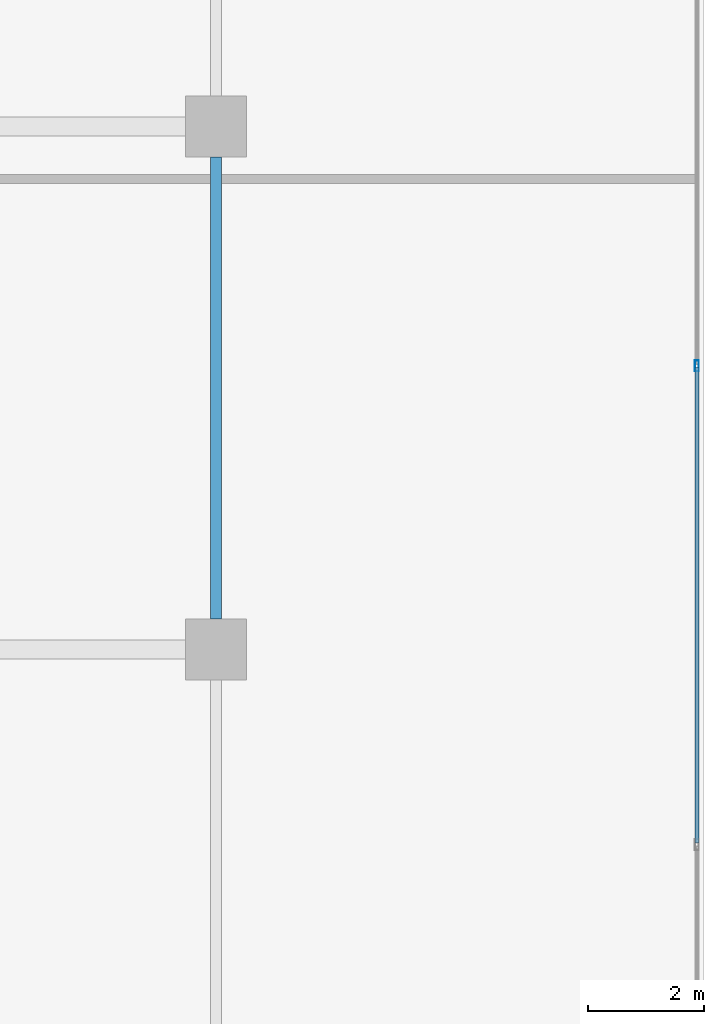
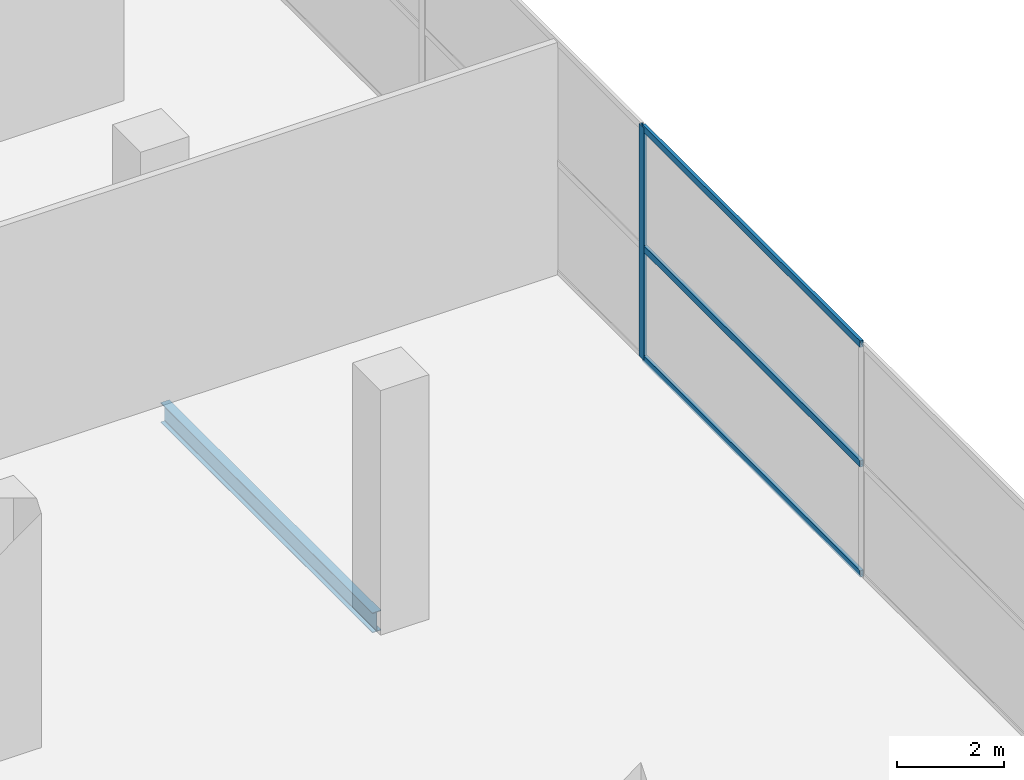
# One storey, part 26 of 40: 4 members, 1 beam, 1 element without a shape of its own.
"""IFC4 building model written with IfcOpenShell, lengths in metres."""

from ifc_helpers import new_model, si_unit, direction, frame, origin, origin_2d, place, context, subcontext, project, spatial, hollow_rectangle, i_section, extrude, material, layer, layer_set, material_profile, profile_set, type_object, element, aggregate, save


model = new_model("IFC4")

# Units and contexts
model_context = context("Model", 3, precision=1e-05, world=origin(), true_north=direction((0.0, 1.0)))
body_context = subcontext(model_context, "Body", "Model", "MODEL_VIEW")
ifc_project = project(units=[si_unit("LENGTHUNIT", "METRE"), si_unit("AREAUNIT", "SQUARE_METRE"), si_unit("VOLUMEUNIT", "CUBIC_METRE"), si_unit("PLANEANGLEUNIT", "RADIAN"), si_unit("MASSUNIT", "GRAM", prefix="KILO")], contexts=[model_context])

# Site, building, storey
site_placement = place(None, origin())
site = spatial("IfcSite", under=ifc_project, at=site_placement, CompositionType="ELEMENT")
building_placement = place(site_placement, origin())
building = spatial("IfcBuilding", under=site, at=building_placement, Name="Maruvema Waterfront Hotel and Observation Tower", CompositionType="ELEMENT")
storey_placement = place(building_placement, frame((0.0, 0.0, 10.85009765625)))
storey = spatial("IfcBuildingStorey", under=building, at=storey_placement, Name="L02", CompositionType="ELEMENT", Elevation=10.85009765625)

# Curtain wall, members
ifc_material_1 = material(Name="Anodised bronze aluminium and solar-control low-E IGU", Category="aluminium")
ifc_layer = layer(ifc_material_1, 0.159912109375, Name="Podium Waterfront Storefront Curtain Wall System CW-01")
ifc_layer_set = layer_set([ifc_layer], Name="Anodised bronze aluminium and solar-control low-E IGU")
curtain_wall_type = type_object("IfcCurtainWallType", Name="Podium Waterfront Storefront Curtain Wall System CW-01", PredefinedType="USERDEFINED", material=ifc_layer_set)
curtain_wall_placement = place(storey_placement, origin())
curtain_wall = element("IfcCurtainWall", 1, at=curtain_wall_placement, inside=storey, type_object=curtain_wall_type, Name="L02 Curtain Wall CW-L02-E", ObjectType="UNITISED CURTAIN WALL", PredefinedType="USERDEFINED")
ifc_material_2 = material(Name="Anodised architectural bronze aluminium", Category="aluminium")
ifc_material_profile_1 = material_profile(ifc_material_2, hollow_rectangle(XDim=0.070068359375, YDim=0.14990234375, WallThickness=0.00390625, at=origin_2d()), Name="ALU-T70x150")
ifc_profile_set_1 = profile_set([ifc_material_profile_1], Name="Anodised architectural bronze aluminium")
member_type_1 = type_object("IfcMemberType", Name="Curtain Wall Horizontal Transom ALU-T70x150", PredefinedType="USERDEFINED", material=ifc_profile_set_1)
member_1_placement = place(storey_placement, frame((75.47998046875, 14.669921875, 0.02978515625), z_axis=(0.0, 1.0, 0.0), x_axis=(-1.0, 0.0, 0.0)))
member_1 = element("IfcMember", 2, at=member_1_placement, type_object=member_type_1, Name="CW-01 transom 2.1", ObjectType="TRANSOM", PredefinedType="USERDEFINED", context=body_context, shape_type="SweptSolid", body=[
    extrude(hollow_rectangle(XDim=0.070068359375, YDim=0.14990234375, WallThickness=0.00390625, at=origin_2d()), origin(), (0.0, 0.0, 1.0), 8.18017578125),
])
member_2_placement = place(storey_placement, frame((75.47998046875, 14.669921875, 2.5498046875), z_axis=(0.0, 1.0, 0.0), x_axis=(-1.0, 0.0, 0.0)))
member_2 = element("IfcMember", 3, at=member_2_placement, type_object=member_type_1, Name="CW-01 transom 2.2", ObjectType="TRANSOM", PredefinedType="USERDEFINED", context=body_context, shape_type="SweptSolid", body=[
    extrude(hollow_rectangle(XDim=0.070068359375, YDim=0.14990234375, WallThickness=0.00390625, at=origin_2d()), origin(), (0.0, 0.0, 1.0), 8.18017578125),
])
member_3_placement = place(storey_placement, frame((75.47998046875, 14.669921875, 5.289794921875), z_axis=(0.0, 1.0, 0.0), x_axis=(-1.0, 0.0, 0.0)))
member_3 = element("IfcMember", 4, at=member_3_placement, type_object=member_type_1, Name="CW-01 transom 2.3", ObjectType="TRANSOM", PredefinedType="USERDEFINED", context=body_context, shape_type="SweptSolid", body=[
    extrude(hollow_rectangle(XDim=0.070068359375, YDim=0.14990234375, WallThickness=0.00390625, at=origin_2d()), origin(), (0.0, 0.0, 1.0), 8.18017578125),
])

# Beam
ifc_material_3 = material(Name="Steel ASTM A572 Grade 50", Category="steel")
ifc_material_profile_2 = material_profile(ifc_material_3, i_section(OverallWidth=0.18994140625, OverallDepth=0.45703125, WebThickness=0.009033203125, FlangeThickness=0.014404296875, FilletRadius=0.014892578125, at=origin_2d()), Name="W460x74.0")
ifc_profile_set_2 = profile_set([ifc_material_profile_2], Name="Steel ASTM A572 Grade 50")
beam_type = type_object("IfcBeamType", Name="Perimeter Spandrel Beam W460x74.0", PredefinedType="SPANDREL", material=ifc_profile_set_2)
beam_placement = place(storey_placement, frame((67.199951171875, 18.52490234375, -0.508544921875), z_axis=(0.0, 1.0, 0.0), x_axis=(-1.0, 0.0, 0.0)))
element("IfcBeam", 5, at=beam_placement, inside=storey, type_object=beam_type, Name="L02 Floor Girder NS-31", PredefinedType="SPANDREL", context=body_context, shape_type="SweptSolid", body=[
    extrude(i_section(OverallWidth=0.18994140625, OverallDepth=0.45703125, WebThickness=0.009033203125, FlangeThickness=0.014404296875, FilletRadius=0.014892578125, at=origin_2d()), origin(), (0.0, 0.0, 1.0), 7.9501953125),
])

# Member
ifc_material_4 = material(Name="Anodised architectural bronze aluminium", Category="aluminium")
ifc_material_profile_3 = material_profile(ifc_material_4, hollow_rectangle(XDim=0.070068359375, YDim=0.18994140625, WallThickness=0.00390625, at=origin_2d()), Name="ALU-M70x190")
ifc_profile_set_3 = profile_set([ifc_material_profile_3], Name="Anodised architectural bronze aluminium")
member_type_2 = type_object("IfcMemberType", Name="Podium Storefront Heavy Mullion ALU-M70x190", PredefinedType="MULLION", material=ifc_profile_set_3)
member_4_placement = place(storey_placement, frame((75.47998046875, 22.8798828125, 0.0), z_axis=(0.0, 0.0, 1.0), x_axis=(-1.0, 0.0, 0.0)))
member_4 = element("IfcMember", 6, at=member_4_placement, type_object=member_type_2, Name="CW-01 mullion 3", PredefinedType="MULLION", context=body_context, shape_type="SweptSolid", body=[
    extrude(hollow_rectangle(XDim=0.070068359375, YDim=0.18994140625, WallThickness=0.00390625, at=origin_2d()), origin(), (0.0, 0.0, 1.0), 5.31982421875),
])

aggregate(curtain_wall, [member_4, member_1, member_2, member_3])

save(model, "model.ifc")
